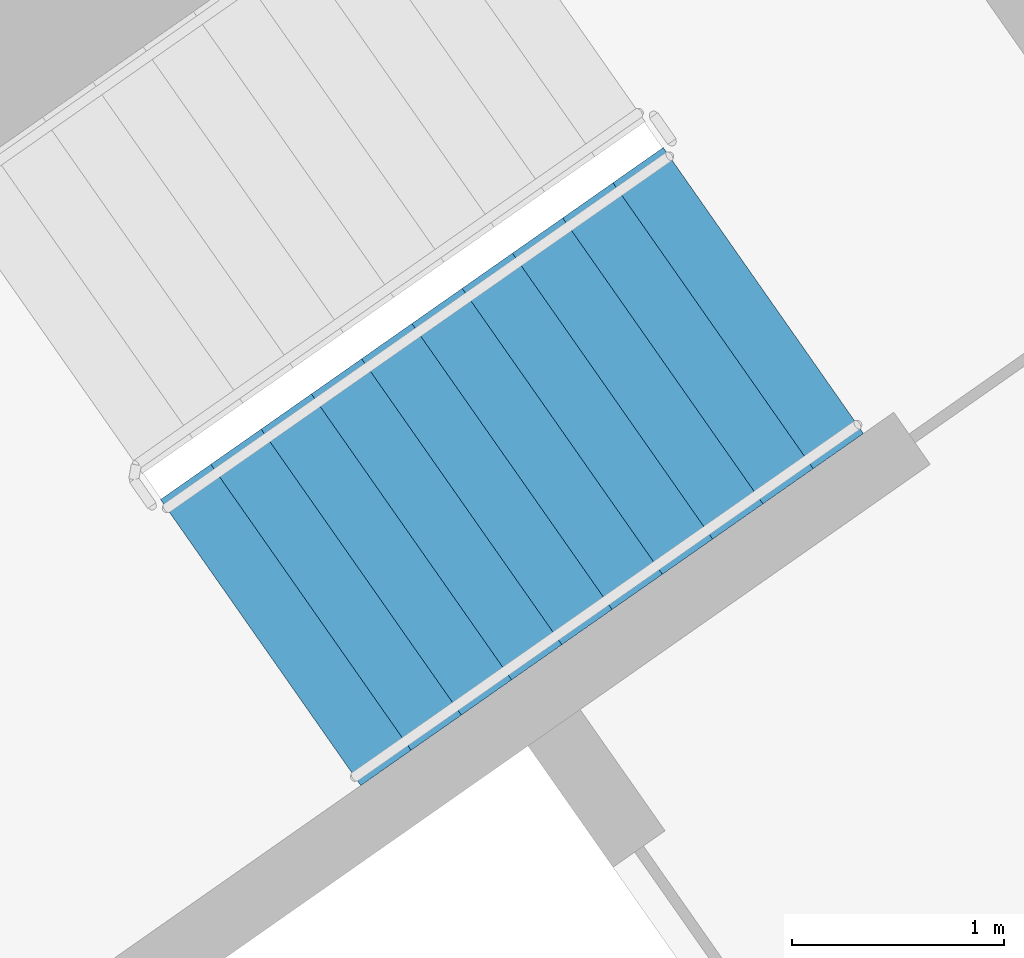
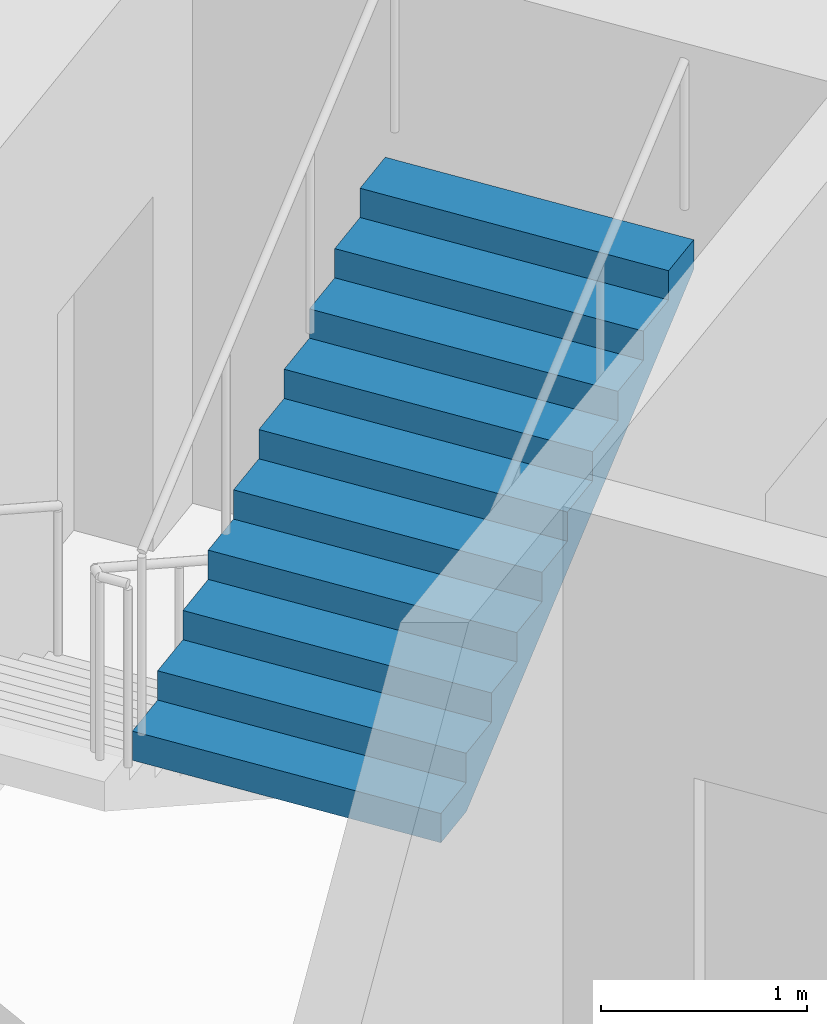
# One storey, part 17 of 30: 1 stair flight, 1 element without a shape of its own.
"""IFC4 building model written with IfcOpenShell, lengths in metres."""

from ifc_helpers import new_model, si_unit, direction, frame, origin, place, context, subcontext, project, spatial, faceted_brep, material, type_object, element, aggregate, save


model = new_model("IFC4")

# Units and contexts
model_context = context("Model", 3, precision=1e-05, world=origin(), true_north=direction((0.0, 1.0)))
body_context = subcontext(model_context, "Body", "Model", "MODEL_VIEW")
ifc_project = project(units=[si_unit("LENGTHUNIT", "METRE"), si_unit("AREAUNIT", "SQUARE_METRE"), si_unit("VOLUMEUNIT", "CUBIC_METRE"), si_unit("PLANEANGLEUNIT", "RADIAN"), si_unit("MASSUNIT", "GRAM", prefix="KILO")], contexts=[model_context])

# Site, building, storey
site_placement = place(None, origin())
site = spatial("IfcSite", under=ifc_project, at=site_placement, CompositionType="ELEMENT")
building_placement = place(site_placement, origin())
building = spatial("IfcBuilding", under=site, at=building_placement, Name="Qamariyya Broadcast Tower", CompositionType="ELEMENT")
storey_placement = place(building_placement, frame((0.0, 0.0, 67.10009765625)))
storey = spatial("IfcBuildingStorey", under=building, at=storey_placement, Name="L13", CompositionType="ELEMENT", Elevation=67.10009765625)

# Stair, stair flight
ifc_material = material(Name="Concrete C50/60", Category="concrete")
stair_type = type_object("IfcStairType", Name="Exit stair 22 risers of 173 mm", PredefinedType="HALF_TURN_STAIR", material=ifc_material)
stair_placement = place(storey_placement, origin())
stair = element("IfcStair", 1, at=stair_placement, inside=storey, type_object=stair_type, Name="L13 Stair E2", PredefinedType="HALF_TURN_STAIR")
stair_flight_type = type_object("IfcStairFlightType", Name="Exit stair flight 11 risers of 173 mm", PredefinedType="STRAIGHT", material=ifc_material)
stair_flight_placement = place(storey_placement, frame((39.215576171875, -50.822998046875, 1.89990234375), z_axis=(0.0, 0.0, 1.0), x_axis=(0.819152044289, 0.573576436351, 0.0)))
stair_flight = element("IfcStairFlight", 2, at=stair_flight_placement, type_object=stair_flight_type, Name="ST-E2 flight 2", NumberOfRisers=11, NumberOfTreads=10, PredefinedType="STRAIGHT", RiserHeight=0.172727273, TreadLength=0.29, context=body_context, shape_type="Brep", body=[
    faceted_brep([(0.0, 0.824951171875, 0.0), (0.0, 0.824951171875, 0.172607421875), (0.2900390625, 0.824951171875, 0.172607421875), (0.2900390625, 0.824951171875, 0.345458984375), (0.580078125, 0.824951171875, 0.345458984375), (0.580078125, 0.824951171875, 0.51806640625), (0.8701171875, 0.824951171875, 0.51806640625), (0.8701171875, 0.824951171875, 0.69091796875), (1.159912109375, 0.824951171875, 0.69091796875), (1.159912109375, 0.824951171875, 0.863525390625), (1.449951171875, 0.824951171875, 0.863525390625), (1.449951171875, 0.824951171875, 1.036376953125), (1.739990234375, 0.824951171875, 1.036376953125), (1.739990234375, 0.824951171875, 1.208984375), (2.030029296875, 0.824951171875, 1.208984375), (2.030029296875, 0.824951171875, 1.3818359375), (2.320068359375, 0.824951171875, 1.3818359375), (2.320068359375, 0.824951171875, 1.554443359375), (2.610107421875, 0.824951171875, 1.554443359375), (2.610107421875, 0.824951171875, 1.727294921875), (2.89990234375, 0.824951171875, 1.727294921875), (2.89990234375, 0.824951171875, 1.552734375), (0.29296875, 0.824951171875, 0.0), (0.29296875, -0.824951171875, 0.0), (2.89990234375, -0.824951171875, 1.552734375), (2.89990234375, -0.824951171875, 1.727294921875), (2.610107421875, -0.824951171875, 1.727294921875), (2.610107421875, -0.824951171875, 1.554443359375), (2.320068359375, -0.824951171875, 1.554443359375), (2.320068359375, -0.824951171875, 1.3818359375), (2.030029296875, -0.824951171875, 1.3818359375), (2.030029296875, -0.824951171875, 1.208984375), (1.739990234375, -0.824951171875, 1.208984375), (1.739990234375, -0.824951171875, 1.036376953125), (1.449951171875, -0.824951171875, 1.036376953125), (1.449951171875, -0.824951171875, 0.863525390625), (1.159912109375, -0.824951171875, 0.863525390625), (1.159912109375, -0.824951171875, 0.69091796875), (0.8701171875, -0.824951171875, 0.69091796875), (0.8701171875, -0.824951171875, 0.51806640625), (0.580078125, -0.824951171875, 0.51806640625), (0.580078125, -0.824951171875, 0.345458984375), (0.2900390625, -0.824951171875, 0.345458984375), (0.2900390625, -0.824951171875, 0.172607421875), (0.0, -0.824951171875, 0.172607421875), (0.0, -0.824951171875, 0.0), (0.0, 0.10009765625, 0.0), (0.0, 0.086669921875, 0.0), (0.0, 0.0732421875, 0.0), (0.0, 0.06005859375, 0.0), (0.0, 0.046630859375, 0.0), (0.0, 0.033447265625, 0.0), (0.0, 0.02001953125, 0.0), (0.0, 0.006591796875, 0.0), (0.0, -0.006591796875, 0.0), (0.0, -0.02001953125, 0.0), (0.0, -0.033447265625, 0.0), (0.0, -0.046630859375, 0.0), (0.0, -0.06005859375, 0.0), (0.0, -0.0732421875, 0.0), (0.0, -0.086669921875, 0.0), (0.0, -0.10009765625, 0.0), (0.0, -0.10009765625, 0.172607421875), (0.0, -0.086669921875, 0.172607421875), (0.0, -0.0732421875, 0.172607421875), (0.0, -0.06005859375, 0.172607421875), (0.0, -0.046630859375, 0.172607421875), (0.0, -0.033447265625, 0.172607421875), (0.0, -0.02001953125, 0.172607421875), (0.0, -0.006591796875, 0.172607421875), (0.0, 0.006591796875, 0.172607421875), (0.0, 0.02001953125, 0.172607421875), (0.0, 0.033447265625, 0.172607421875), (0.0, 0.046630859375, 0.172607421875), (0.0, 0.06005859375, 0.172607421875), (0.0, 0.0732421875, 0.172607421875), (0.0, 0.086669921875, 0.172607421875), (0.0, 0.10009765625, 0.172607421875), (0.2900390625, -0.10009765625, 0.172607421875), (0.2900390625, -0.086669921875, 0.172607421875), (0.2900390625, -0.0732421875, 0.172607421875), (0.2900390625, -0.06005859375, 0.172607421875), (0.2900390625, -0.046630859375, 0.172607421875), (0.2900390625, -0.033447265625, 0.172607421875), (0.2900390625, -0.02001953125, 0.172607421875), (0.2900390625, -0.006591796875, 0.172607421875), (0.2900390625, 0.006591796875, 0.172607421875), (0.2900390625, 0.02001953125, 0.172607421875), (0.2900390625, 0.033447265625, 0.172607421875), (0.2900390625, 0.046630859375, 0.172607421875), (0.2900390625, 0.06005859375, 0.172607421875), (0.2900390625, 0.0732421875, 0.172607421875), (0.2900390625, 0.086669921875, 0.172607421875), (0.2900390625, 0.10009765625, 0.172607421875), (0.2900390625, -0.10009765625, 0.345458984375), (0.2900390625, -0.086669921875, 0.345458984375), (0.2900390625, -0.0732421875, 0.345458984375), (0.2900390625, -0.06005859375, 0.345458984375), (0.2900390625, -0.046630859375, 0.345458984375), (0.2900390625, -0.033447265625, 0.345458984375), (0.2900390625, -0.02001953125, 0.345458984375), (0.2900390625, -0.006591796875, 0.345458984375), (0.2900390625, 0.006591796875, 0.345458984375), (0.2900390625, 0.02001953125, 0.345458984375), (0.2900390625, 0.033447265625, 0.345458984375), (0.2900390625, 0.046630859375, 0.345458984375), (0.2900390625, 0.06005859375, 0.345458984375), (0.2900390625, 0.0732421875, 0.345458984375), (0.2900390625, 0.086669921875, 0.345458984375), (0.2900390625, 0.10009765625, 0.345458984375), (0.580078125, -0.10009765625, 0.345458984375), (0.580078125, -0.086669921875, 0.345458984375), (0.580078125, -0.0732421875, 0.345458984375), (0.580078125, -0.06005859375, 0.345458984375), (0.580078125, -0.046630859375, 0.345458984375), (0.580078125, -0.033447265625, 0.345458984375), (0.580078125, -0.02001953125, 0.345458984375), (0.580078125, -0.006591796875, 0.345458984375), (0.580078125, 0.006591796875, 0.345458984375), (0.580078125, 0.02001953125, 0.345458984375), (0.580078125, 0.033447265625, 0.345458984375), (0.580078125, 0.046630859375, 0.345458984375), (0.580078125, 0.06005859375, 0.345458984375), (0.580078125, 0.0732421875, 0.345458984375), (0.580078125, 0.086669921875, 0.345458984375), (0.580078125, 0.10009765625, 0.345458984375), (0.580078125, -0.10009765625, 0.51806640625), (0.580078125, -0.086669921875, 0.51806640625), (0.580078125, -0.0732421875, 0.51806640625), (0.580078125, -0.06005859375, 0.51806640625), (0.580078125, -0.046630859375, 0.51806640625), (0.580078125, -0.033447265625, 0.51806640625), (0.580078125, -0.02001953125, 0.51806640625), (0.580078125, -0.006591796875, 0.51806640625), (0.580078125, 0.006591796875, 0.51806640625), (0.580078125, 0.02001953125, 0.51806640625), (0.580078125, 0.033447265625, 0.51806640625), (0.580078125, 0.046630859375, 0.51806640625), (0.580078125, 0.06005859375, 0.51806640625), (0.580078125, 0.0732421875, 0.51806640625), (0.580078125, 0.086669921875, 0.51806640625), (0.580078125, 0.10009765625, 0.51806640625), (0.8701171875, -0.10009765625, 0.51806640625), (0.8701171875, -0.086669921875, 0.51806640625), (0.8701171875, -0.0732421875, 0.51806640625), (0.8701171875, -0.06005859375, 0.51806640625), (0.8701171875, -0.046630859375, 0.51806640625), (0.8701171875, -0.033447265625, 0.51806640625), (0.8701171875, -0.02001953125, 0.51806640625), (0.8701171875, -0.006591796875, 0.51806640625), (0.8701171875, 0.006591796875, 0.51806640625), (0.8701171875, 0.02001953125, 0.51806640625), (0.8701171875, 0.033447265625, 0.51806640625), (0.8701171875, 0.046630859375, 0.51806640625), (0.8701171875, 0.06005859375, 0.51806640625), (0.8701171875, 0.0732421875, 0.51806640625), (0.8701171875, 0.086669921875, 0.51806640625), (0.8701171875, 0.10009765625, 0.51806640625), (0.8701171875, -0.10009765625, 0.69091796875), (0.8701171875, -0.086669921875, 0.69091796875), (0.8701171875, -0.0732421875, 0.69091796875), (0.8701171875, -0.06005859375, 0.69091796875), (0.8701171875, -0.046630859375, 0.69091796875), (0.8701171875, -0.033447265625, 0.69091796875), (0.8701171875, -0.02001953125, 0.69091796875), (0.8701171875, -0.006591796875, 0.69091796875), (0.8701171875, 0.006591796875, 0.69091796875), (0.8701171875, 0.02001953125, 0.69091796875), (0.8701171875, 0.033447265625, 0.69091796875), (0.8701171875, 0.046630859375, 0.69091796875), (0.8701171875, 0.06005859375, 0.69091796875), (0.8701171875, 0.0732421875, 0.69091796875), (0.8701171875, 0.086669921875, 0.69091796875), (0.8701171875, 0.10009765625, 0.69091796875), (1.159912109375, -0.10009765625, 0.69091796875), (1.159912109375, -0.086669921875, 0.69091796875), (1.159912109375, -0.0732421875, 0.69091796875), (1.159912109375, -0.06005859375, 0.69091796875), (1.159912109375, -0.046630859375, 0.69091796875), (1.159912109375, -0.033447265625, 0.69091796875), (1.159912109375, -0.02001953125, 0.69091796875), (1.159912109375, -0.006591796875, 0.69091796875), (1.159912109375, 0.006591796875, 0.69091796875), (1.159912109375, 0.02001953125, 0.69091796875), (1.159912109375, 0.033447265625, 0.69091796875), (1.159912109375, 0.046630859375, 0.69091796875), (1.159912109375, 0.06005859375, 0.69091796875), (1.159912109375, 0.0732421875, 0.69091796875), (1.159912109375, 0.086669921875, 0.69091796875), (1.159912109375, 0.10009765625, 0.69091796875), (1.159912109375, -0.10009765625, 0.863525390625), (1.159912109375, -0.086669921875, 0.863525390625), (1.159912109375, -0.0732421875, 0.863525390625), (1.159912109375, -0.06005859375, 0.863525390625), (1.159912109375, -0.046630859375, 0.863525390625), (1.159912109375, -0.033447265625, 0.863525390625), (1.159912109375, -0.02001953125, 0.863525390625), (1.159912109375, -0.006591796875, 0.863525390625), (1.159912109375, 0.006591796875, 0.863525390625), (1.159912109375, 0.02001953125, 0.863525390625), (1.159912109375, 0.033447265625, 0.863525390625), (1.159912109375, 0.046630859375, 0.863525390625), (1.159912109375, 0.06005859375, 0.863525390625), (1.159912109375, 0.0732421875, 0.863525390625), (1.159912109375, 0.086669921875, 0.863525390625), (1.159912109375, 0.10009765625, 0.863525390625), (1.449951171875, -0.10009765625, 0.863525390625), (1.449951171875, -0.086669921875, 0.863525390625), (1.449951171875, -0.0732421875, 0.863525390625), (1.449951171875, -0.06005859375, 0.863525390625), (1.449951171875, -0.046630859375, 0.863525390625), (1.449951171875, -0.033447265625, 0.863525390625), (1.449951171875, -0.02001953125, 0.863525390625), (1.449951171875, -0.006591796875, 0.863525390625), (1.449951171875, 0.006591796875, 0.863525390625), (1.449951171875, 0.02001953125, 0.863525390625), (1.449951171875, 0.033447265625, 0.863525390625), (1.449951171875, 0.046630859375, 0.863525390625), (1.449951171875, 0.06005859375, 0.863525390625), (1.449951171875, 0.0732421875, 0.863525390625), (1.449951171875, 0.086669921875, 0.863525390625), (1.449951171875, 0.10009765625, 0.863525390625), (1.449951171875, -0.10009765625, 1.036376953125), (1.449951171875, -0.086669921875, 1.036376953125), (1.449951171875, -0.0732421875, 1.036376953125), (1.449951171875, -0.06005859375, 1.036376953125), (1.449951171875, -0.046630859375, 1.036376953125), (1.449951171875, -0.033447265625, 1.036376953125), (1.449951171875, -0.02001953125, 1.036376953125), (1.449951171875, -0.006591796875, 1.036376953125), (1.449951171875, 0.006591796875, 1.036376953125), (1.449951171875, 0.02001953125, 1.036376953125), (1.449951171875, 0.033447265625, 1.036376953125), (1.449951171875, 0.046630859375, 1.036376953125), (1.449951171875, 0.06005859375, 1.036376953125), (1.449951171875, 0.0732421875, 1.036376953125), (1.449951171875, 0.086669921875, 1.036376953125), (1.449951171875, 0.10009765625, 1.036376953125), (1.739990234375, -0.10009765625, 1.036376953125), (1.739990234375, -0.086669921875, 1.036376953125), (1.739990234375, -0.0732421875, 1.036376953125), (1.739990234375, -0.06005859375, 1.036376953125), (1.739990234375, -0.046630859375, 1.036376953125), (1.739990234375, -0.033447265625, 1.036376953125), (1.739990234375, -0.02001953125, 1.036376953125), (1.739990234375, -0.006591796875, 1.036376953125), (1.739990234375, 0.006591796875, 1.036376953125), (1.739990234375, 0.02001953125, 1.036376953125), (1.739990234375, 0.033447265625, 1.036376953125), (1.739990234375, 0.046630859375, 1.036376953125), (1.739990234375, 0.06005859375, 1.036376953125), (1.739990234375, 0.0732421875, 1.036376953125), (1.739990234375, 0.086669921875, 1.036376953125), (1.739990234375, 0.10009765625, 1.036376953125), (1.739990234375, -0.10009765625, 1.208984375), (1.739990234375, -0.086669921875, 1.208984375), (1.739990234375, -0.0732421875, 1.208984375), (1.739990234375, -0.06005859375, 1.208984375), (1.739990234375, -0.046630859375, 1.208984375), (1.739990234375, -0.033447265625, 1.208984375), (1.739990234375, -0.02001953125, 1.208984375), (1.739990234375, -0.006591796875, 1.208984375), (1.739990234375, 0.006591796875, 1.208984375), (1.739990234375, 0.02001953125, 1.208984375), (1.739990234375, 0.033447265625, 1.208984375), (1.739990234375, 0.046630859375, 1.208984375), (1.739990234375, 0.06005859375, 1.208984375), (1.739990234375, 0.0732421875, 1.208984375), (1.739990234375, 0.086669921875, 1.208984375), (1.739990234375, 0.10009765625, 1.208984375), (2.030029296875, -0.10009765625, 1.208984375), (2.030029296875, -0.086669921875, 1.208984375), (2.030029296875, -0.0732421875, 1.208984375), (2.030029296875, -0.06005859375, 1.208984375), (2.030029296875, -0.046630859375, 1.208984375), (2.030029296875, -0.033447265625, 1.208984375), (2.030029296875, -0.02001953125, 1.208984375), (2.030029296875, -0.006591796875, 1.208984375), (2.030029296875, 0.006591796875, 1.208984375), (2.030029296875, 0.02001953125, 1.208984375), (2.030029296875, 0.033447265625, 1.208984375), (2.030029296875, 0.046630859375, 1.208984375), (2.030029296875, 0.06005859375, 1.208984375), (2.030029296875, 0.0732421875, 1.208984375), (2.030029296875, 0.086669921875, 1.208984375), (2.030029296875, 0.10009765625, 1.208984375), (2.030029296875, -0.10009765625, 1.3818359375), (2.030029296875, -0.086669921875, 1.3818359375), (2.030029296875, -0.0732421875, 1.3818359375), (2.030029296875, -0.06005859375, 1.3818359375), (2.030029296875, -0.046630859375, 1.3818359375), (2.030029296875, -0.033447265625, 1.3818359375), (2.030029296875, -0.02001953125, 1.3818359375), (2.030029296875, -0.006591796875, 1.3818359375), (2.030029296875, 0.006591796875, 1.3818359375), (2.030029296875, 0.02001953125, 1.3818359375), (2.030029296875, 0.033447265625, 1.3818359375), (2.030029296875, 0.046630859375, 1.3818359375), (2.030029296875, 0.06005859375, 1.3818359375), (2.030029296875, 0.0732421875, 1.3818359375), (2.030029296875, 0.086669921875, 1.3818359375), (2.030029296875, 0.10009765625, 1.3818359375), (2.320068359375, -0.10009765625, 1.3818359375), (2.320068359375, -0.086669921875, 1.3818359375), (2.320068359375, -0.0732421875, 1.3818359375), (2.320068359375, -0.06005859375, 1.3818359375), (2.320068359375, -0.046630859375, 1.3818359375), (2.320068359375, -0.033447265625, 1.3818359375), (2.320068359375, -0.02001953125, 1.3818359375), (2.320068359375, -0.006591796875, 1.3818359375), (2.320068359375, 0.006591796875, 1.3818359375), (2.320068359375, 0.02001953125, 1.3818359375), (2.320068359375, 0.033447265625, 1.3818359375), (2.320068359375, 0.046630859375, 1.3818359375), (2.320068359375, 0.06005859375, 1.3818359375), (2.320068359375, 0.0732421875, 1.3818359375), (2.320068359375, 0.086669921875, 1.3818359375), (2.320068359375, 0.10009765625, 1.3818359375), (2.320068359375, -0.10009765625, 1.554443359375), (2.320068359375, -0.086669921875, 1.554443359375), (2.320068359375, -0.0732421875, 1.554443359375), (2.320068359375, -0.06005859375, 1.554443359375), (2.320068359375, -0.046630859375, 1.554443359375), (2.320068359375, -0.033447265625, 1.554443359375), (2.320068359375, -0.02001953125, 1.554443359375), (2.320068359375, -0.006591796875, 1.554443359375), (2.320068359375, 0.006591796875, 1.554443359375), (2.320068359375, 0.02001953125, 1.554443359375), (2.320068359375, 0.033447265625, 1.554443359375), (2.320068359375, 0.046630859375, 1.554443359375), (2.320068359375, 0.06005859375, 1.554443359375), (2.320068359375, 0.0732421875, 1.554443359375), (2.320068359375, 0.086669921875, 1.554443359375), (2.320068359375, 0.10009765625, 1.554443359375), (2.610107421875, -0.10009765625, 1.554443359375), (2.610107421875, -0.086669921875, 1.554443359375), (2.610107421875, -0.0732421875, 1.554443359375), (2.610107421875, -0.06005859375, 1.554443359375), (2.610107421875, -0.046630859375, 1.554443359375), (2.610107421875, -0.033447265625, 1.554443359375), (2.610107421875, -0.02001953125, 1.554443359375), (2.610107421875, -0.006591796875, 1.554443359375), (2.610107421875, 0.006591796875, 1.554443359375), (2.610107421875, 0.02001953125, 1.554443359375), (2.610107421875, 0.033447265625, 1.554443359375), (2.610107421875, 0.046630859375, 1.554443359375), (2.610107421875, 0.06005859375, 1.554443359375), (2.610107421875, 0.0732421875, 1.554443359375), (2.610107421875, 0.086669921875, 1.554443359375), (2.610107421875, 0.10009765625, 1.554443359375), (2.610107421875, -0.10009765625, 1.727294921875), (2.610107421875, -0.086669921875, 1.727294921875), (2.610107421875, -0.0732421875, 1.727294921875), (2.610107421875, -0.06005859375, 1.727294921875), (2.610107421875, -0.046630859375, 1.727294921875), (2.610107421875, -0.033447265625, 1.727294921875), (2.610107421875, -0.02001953125, 1.727294921875), (2.610107421875, -0.006591796875, 1.727294921875), (2.610107421875, 0.006591796875, 1.727294921875), (2.610107421875, 0.02001953125, 1.727294921875), (2.610107421875, 0.033447265625, 1.727294921875), (2.610107421875, 0.046630859375, 1.727294921875), (2.610107421875, 0.06005859375, 1.727294921875), (2.610107421875, 0.0732421875, 1.727294921875), (2.610107421875, 0.086669921875, 1.727294921875), (2.610107421875, 0.10009765625, 1.727294921875), (2.89990234375, -0.10009765625, 1.727294921875), (2.89990234375, -0.086669921875, 1.727294921875), (2.89990234375, -0.0732421875, 1.727294921875), (2.89990234375, -0.06005859375, 1.727294921875), (2.89990234375, -0.046630859375, 1.727294921875), (2.89990234375, -0.033447265625, 1.727294921875), (2.89990234375, -0.02001953125, 1.727294921875), (2.89990234375, -0.006591796875, 1.727294921875), (2.89990234375, 0.006591796875, 1.727294921875), (2.89990234375, 0.02001953125, 1.727294921875), (2.89990234375, 0.033447265625, 1.727294921875), (2.89990234375, 0.046630859375, 1.727294921875), (2.89990234375, 0.06005859375, 1.727294921875), (2.89990234375, 0.0732421875, 1.727294921875), (2.89990234375, 0.086669921875, 1.727294921875), (2.89990234375, 0.10009765625, 1.727294921875), (2.89990234375, -0.10009765625, 1.552734375), (2.89990234375, -0.086669921875, 1.552734375), (2.89990234375, -0.0732421875, 1.552734375), (2.89990234375, -0.06005859375, 1.552734375), (2.89990234375, -0.046630859375, 1.552734375), (2.89990234375, -0.033447265625, 1.552734375), (2.89990234375, -0.02001953125, 1.552734375), (2.89990234375, -0.006591796875, 1.552734375), (2.89990234375, 0.006591796875, 1.552734375), (2.89990234375, 0.02001953125, 1.552734375), (2.89990234375, 0.033447265625, 1.552734375), (2.89990234375, 0.046630859375, 1.552734375), (2.89990234375, 0.06005859375, 1.552734375), (2.89990234375, 0.0732421875, 1.552734375), (2.89990234375, 0.086669921875, 1.552734375), (2.89990234375, 0.10009765625, 1.552734375), (0.29296875, -0.10009765625, 0.0), (0.29296875, -0.086669921875, 0.0), (0.29296875, -0.0732421875, 0.0), (0.29296875, -0.06005859375, 0.0), (0.29296875, -0.046630859375, 0.0), (0.29296875, -0.033447265625, 0.0), (0.29296875, -0.02001953125, 0.0), (0.29296875, -0.006591796875, 0.0), (0.29296875, 0.006591796875, 0.0), (0.29296875, 0.02001953125, 0.0), (0.29296875, 0.033447265625, 0.0), (0.29296875, 0.046630859375, 0.0), (0.29296875, 0.06005859375, 0.0), (0.29296875, 0.0732421875, 0.0), (0.29296875, 0.086669921875, 0.0), (0.29296875, 0.10009765625, 0.0)], [[[0, 1, 2, 3, 4, 5, 6, 7, 8, 9, 10, 11, 12, 13, 14, 15, 16, 17, 18, 19, 20, 21, 22]], [[23, 24, 25, 26, 27, 28, 29, 30, 31, 32, 33, 34, 35, 36, 37, 38, 39, 40, 41, 42, 43, 44, 45]], [[0, 46, 47, 48, 49, 50, 51, 52, 53, 54, 55, 56, 57, 58, 59, 60, 61, 45, 44, 62, 63, 64, 65, 66, 67, 68, 69, 70, 71, 72, 73, 74, 75, 76, 77, 1]], [[1, 77, 76, 75, 74, 73, 72, 71, 70, 69, 68, 67, 66, 65, 64, 63, 62, 44, 43, 78, 79, 80, 81, 82, 83, 84, 85, 86, 87, 88, 89, 90, 91, 92, 93, 2]], [[2, 93, 92, 91, 90, 89, 88, 87, 86, 85, 84, 83, 82, 81, 80, 79, 78, 43, 42, 94, 95, 96, 97, 98, 99, 100, 101, 102, 103, 104, 105, 106, 107, 108, 109, 3]], [[3, 109, 108, 107, 106, 105, 104, 103, 102, 101, 100, 99, 98, 97, 96, 95, 94, 42, 41, 110, 111, 112, 113, 114, 115, 116, 117, 118, 119, 120, 121, 122, 123, 124, 125, 4]], [[4, 125, 124, 123, 122, 121, 120, 119, 118, 117, 116, 115, 114, 113, 112, 111, 110, 41, 40, 126, 127, 128, 129, 130, 131, 132, 133, 134, 135, 136, 137, 138, 139, 140, 141, 5]], [[5, 141, 140, 139, 138, 137, 136, 135, 134, 133, 132, 131, 130, 129, 128, 127, 126, 40, 39, 142, 143, 144, 145, 146, 147, 148, 149, 150, 151, 152, 153, 154, 155, 156, 157, 6]], [[6, 157, 156, 155, 154, 153, 152, 151, 150, 149, 148, 147, 146, 145, 144, 143, 142, 39, 38, 158, 159, 160, 161, 162, 163, 164, 165, 166, 167, 168, 169, 170, 171, 172, 173, 7]], [[7, 173, 172, 171, 170, 169, 168, 167, 166, 165, 164, 163, 162, 161, 160, 159, 158, 38, 37, 174, 175, 176, 177, 178, 179, 180, 181, 182, 183, 184, 185, 186, 187, 188, 189, 8]], [[8, 189, 188, 187, 186, 185, 184, 183, 182, 181, 180, 179, 178, 177, 176, 175, 174, 37, 36, 190, 191, 192, 193, 194, 195, 196, 197, 198, 199, 200, 201, 202, 203, 204, 205, 9]], [[9, 205, 204, 203, 202, 201, 200, 199, 198, 197, 196, 195, 194, 193, 192, 191, 190, 36, 35, 206, 207, 208, 209, 210, 211, 212, 213, 214, 215, 216, 217, 218, 219, 220, 221, 10]], [[10, 221, 220, 219, 218, 217, 216, 215, 214, 213, 212, 211, 210, 209, 208, 207, 206, 35, 34, 222, 223, 224, 225, 226, 227, 228, 229, 230, 231, 232, 233, 234, 235, 236, 237, 11]], [[11, 237, 236, 235, 234, 233, 232, 231, 230, 229, 228, 227, 226, 225, 224, 223, 222, 34, 33, 238, 239, 240, 241, 242, 243, 244, 245, 246, 247, 248, 249, 250, 251, 252, 253, 12]], [[12, 253, 252, 251, 250, 249, 248, 247, 246, 245, 244, 243, 242, 241, 240, 239, 238, 33, 32, 254, 255, 256, 257, 258, 259, 260, 261, 262, 263, 264, 265, 266, 267, 268, 269, 13]], [[13, 269, 268, 267, 266, 265, 264, 263, 262, 261, 260, 259, 258, 257, 256, 255, 254, 32, 31, 270, 271, 272, 273, 274, 275, 276, 277, 278, 279, 280, 281, 282, 283, 284, 285, 14]], [[14, 285, 284, 283, 282, 281, 280, 279, 278, 277, 276, 275, 274, 273, 272, 271, 270, 31, 30, 286, 287, 288, 289, 290, 291, 292, 293, 294, 295, 296, 297, 298, 299, 300, 301, 15]], [[15, 301, 300, 299, 298, 297, 296, 295, 294, 293, 292, 291, 290, 289, 288, 287, 286, 30, 29, 302, 303, 304, 305, 306, 307, 308, 309, 310, 311, 312, 313, 314, 315, 316, 317, 16]], [[16, 317, 316, 315, 314, 313, 312, 311, 310, 309, 308, 307, 306, 305, 304, 303, 302, 29, 28, 318, 319, 320, 321, 322, 323, 324, 325, 326, 327, 328, 329, 330, 331, 332, 333, 17]], [[17, 333, 332, 331, 330, 329, 328, 327, 326, 325, 324, 323, 322, 321, 320, 319, 318, 28, 27, 334, 335, 336, 337, 338, 339, 340, 341, 342, 343, 344, 345, 346, 347, 348, 349, 18]], [[18, 349, 348, 347, 346, 345, 344, 343, 342, 341, 340, 339, 338, 337, 336, 335, 334, 27, 26, 350, 351, 352, 353, 354, 355, 356, 357, 358, 359, 360, 361, 362, 363, 364, 365, 19]], [[19, 365, 364, 363, 362, 361, 360, 359, 358, 357, 356, 355, 354, 353, 352, 351, 350, 26, 25, 366, 367, 368, 369, 370, 371, 372, 373, 374, 375, 376, 377, 378, 379, 380, 381, 20]], [[20, 381, 380, 379, 378, 377, 376, 375, 374, 373, 372, 371, 370, 369, 368, 367, 366, 25, 24, 382, 383, 384, 385, 386, 387, 388, 389, 390, 391, 392, 393, 394, 395, 396, 397, 21]], [[21, 397, 396, 395, 394, 393, 392, 391, 390, 389, 388, 387, 386, 385, 384, 383, 382, 24, 23, 398, 399, 400, 401, 402, 403, 404, 405, 406, 407, 408, 409, 410, 411, 412, 413, 22]], [[22, 413, 412, 411, 410, 409, 408, 407, 406, 405, 404, 403, 402, 401, 400, 399, 398, 23, 45, 61, 60, 59, 58, 57, 56, 55, 54, 53, 52, 51, 50, 49, 48, 47, 46, 0]]]),
])
aggregate(stair, [stair_flight])

save(model, "model.ifc")
